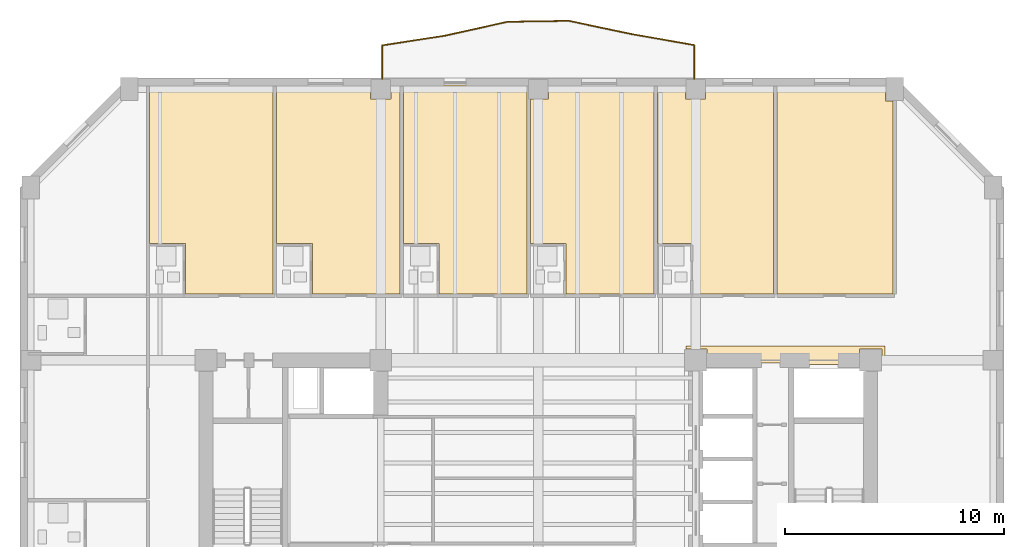
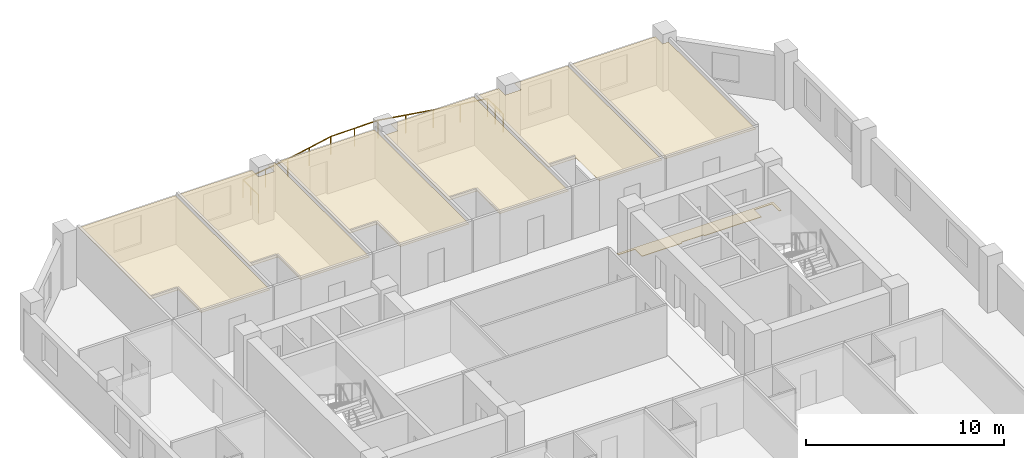
# One storey, part 10 of 11: 7 coverings, 1 railing.
"""IFC4 building model written with IfcOpenShell, lengths in metres."""

from ifc_helpers import new_model, si_unit, direction, frame, origin, origin_2d, place, context, subcontext, project, spatial, polyline, circle, outline, extrude, material, layer, layer_set, type_object, element, save


model = new_model("IFC4")

# Units and contexts
model_context = context("Model", 3, precision=1e-05, world=origin(), true_north=direction((0.0, 1.0)))
body_context = subcontext(model_context, "Body", "Model", "MODEL_VIEW")
ifc_project = project(units=[si_unit("LENGTHUNIT", "METRE"), si_unit("AREAUNIT", "SQUARE_METRE"), si_unit("VOLUMEUNIT", "CUBIC_METRE"), si_unit("PLANEANGLEUNIT", "RADIAN"), si_unit("MASSUNIT", "GRAM", prefix="KILO")], contexts=[model_context])

# Site, building, storey
site_placement = place(None, origin())
site = spatial("IfcSite", under=ifc_project, at=site_placement, CompositionType="ELEMENT")
building_placement = place(site_placement, origin())
building = spatial("IfcBuilding", under=site, at=building_placement, Name="Kranthara Brick Stack", CompositionType="ELEMENT")
storey_placement = place(building_placement, frame((0.0, 0.0, 130.800048828125)))
storey = spatial("IfcBuildingStorey", under=building, at=storey_placement, Name="L32", CompositionType="ELEMENT", Elevation=130.800048828125)

# Coverings
ifc_material_1 = material(Name="Perforated mineral-fibre acoustic ceiling tile", Category="other")
ifc_layer_1 = layer(ifc_material_1, 0.02490234375)
ifc_layer_set_1 = layer_set([ifc_layer_1], Name="Perforated mineral-fibre acoustic ceiling tile")
covering_type_1 = type_object("IfcCoveringType", Name="COV-CEIL-ACOUSTIC", PredefinedType="CEILING", material=ifc_layer_set_1)
covering_1_placement = place(storey_placement, frame((0.0, 0.0, 2.929931640625)))
element("IfcCovering", 1, at=covering_1_placement, inside=storey, type_object=covering_type_1, Name="L32 Room L32-07 Hotel Guest Room Acoustic Ceiling", PredefinedType="CEILING", context=body_context, shape_type="SweptSolid", body=[
    extrude(outline(polyline([(11.860107421875, 36.6298828125), (15.8759765625, 36.6298828125), (15.8759765625, 46.199951171875), (10.22998046875, 46.199951171875), (10.22998046875, 38.93994140625), (11.860107421875, 38.93994140625), (11.860107421875, 36.6298828125)])), origin(), (0.0, 0.0, 1.0), 0.02490234375),
])
covering_2_placement = place(storey_placement, frame((0.0, 0.0, 2.929931640625)))
element("IfcCovering", 2, at=covering_2_placement, inside=storey, type_object=covering_type_1, Name="L32 Room L32-08 Hotel Guest Room Acoustic Ceiling", PredefinedType="CEILING", context=body_context, shape_type="SweptSolid", body=[
    extrude(outline(polyline([(21.680908203125, 46.199951171875), (21.680908203125, 36.6298828125), (17.666015625, 36.6298828125), (17.666015625, 38.93994140625), (16.035888671875, 38.93994140625), (16.035888671875, 46.199951171875), (20.340087890625, 46.199951171875), (20.340087890625, 45.5400390625), (21.260009765625, 45.5400390625), (21.260009765625, 46.199951171875), (21.680908203125, 46.199951171875)])), origin(), (0.0, 0.0, 1.0), 0.02490234375),
])
covering_3_placement = place(storey_placement, frame((0.0, 0.0, 2.929931640625)))
element("IfcCovering", 3, at=covering_3_placement, inside=storey, type_object=covering_type_1, Name="L32 Room L32-09 Hotel Guest Room Acoustic Ceiling", PredefinedType="CEILING", context=body_context, shape_type="SweptSolid", body=[
    extrude(outline(polyline([(23.470947265625, 36.6298828125), (27.486083984375, 36.6298828125), (27.486083984375, 46.199951171875), (21.841064453125, 46.199951171875), (21.841064453125, 38.93994140625), (23.470947265625, 38.93994140625), (23.470947265625, 36.6298828125)])), origin(), (0.0, 0.0, 1.0), 0.02490234375),
])
covering_4_placement = place(storey_placement, frame((0.0, 0.0, 2.929931640625)))
element("IfcCovering", 4, at=covering_4_placement, inside=storey, type_object=covering_type_1, Name="L32 Room L32-10 Hotel Guest Room Acoustic Ceiling", PredefinedType="CEILING", context=body_context, shape_type="SweptSolid", body=[
    extrude(outline(polyline([(33.2919921875, 46.199951171875), (33.2919921875, 36.6298828125), (29.27587890625, 36.6298828125), (29.27587890625, 38.93994140625), (27.64599609375, 38.93994140625), (27.64599609375, 45.5400390625), (28.4599609375, 45.5400390625), (28.4599609375, 46.199951171875), (33.2919921875, 46.199951171875)])), origin(), (0.0, 0.0, 1.0), 0.02490234375),
])
covering_5_placement = place(storey_placement, frame((0.0, 0.0, 2.929931640625)))
element("IfcCovering", 5, at=covering_5_placement, inside=storey, type_object=covering_type_1, Name="L32 Room L32-11 Hotel Guest Room Acoustic Ceiling", PredefinedType="CEILING", context=body_context, shape_type="SweptSolid", body=[
    extrude(outline(polyline([(38.756103515625, 46.199951171875), (38.756103515625, 36.6298828125), (35.08203125, 36.6298828125), (35.08203125, 38.93994140625), (33.451904296875, 38.93994140625), (33.451904296875, 46.199951171875), (34.739990234375, 46.199951171875), (34.739990234375, 45.5400390625), (35.659912109375, 45.5400390625), (35.659912109375, 46.199951171875), (38.756103515625, 46.199951171875)])), origin(), (0.0, 0.0, 1.0), 0.02490234375),
])
covering_6_placement = place(storey_placement, frame((0.0, 0.0, 2.929931640625)))
element("IfcCovering", 6, at=covering_6_placement, inside=storey, type_object=covering_type_1, Name="L32 L32 Guest Sky Lounge 12 Acoustic Ceiling", PredefinedType="CEILING", context=body_context, shape_type="SweptSolid", body=[
    extrude(outline(polyline([(44.219970703125, 36.6298828125), (38.916015625, 36.6298828125), (38.916015625, 46.199951171875), (43.889892578125, 46.199951171875), (43.889892578125, 45.465087890625), (44.219970703125, 45.465087890625), (44.219970703125, 36.6298828125)])), origin(), (0.0, 0.0, 1.0), 0.02490234375),
])
ifc_material_2 = material(Name="Honed terrazzo and porcelain floor finish", Category="stone")
ifc_layer_2 = layer(ifc_material_2, 0.030029296875)
ifc_layer_set_2 = layer_set([ifc_layer_2], Name="Honed terrazzo and porcelain floor finish")
covering_type_2 = type_object("IfcCoveringType", Name="COV-FLOR-STONE", PredefinedType="FLOORING", material=ifc_layer_set_2)
covering_7_placement = place(storey_placement, origin())
element("IfcCovering", 7, at=covering_7_placement, inside=storey, type_object=covering_type_2, Name="L32 Lift Lobby Stone Flooring", PredefinedType="FLOORING", context=body_context, shape_type="SweptSolid", body=[
    extrude(outline(polyline([(43.7099609375, 33.39990234375), (43.7099609375, 34.110107421875), (42.68994140625, 34.110107421875), (42.68994140625, 33.39990234375), (39.35009765625, 33.39990234375), (39.35009765625, 33.47998046875), (38.050048828125, 33.47998046875), (38.050048828125, 33.39990234375), (35.7099609375, 33.39990234375), (35.7099609375, 34.110107421875), (34.75, 34.110107421875), (34.75, 34.25), (43.85009765625, 34.25), (43.85009765625, 33.39990234375), (43.7099609375, 33.39990234375)])), origin(), (0.0, 0.0, 1.0), 0.030029296875),
])

# Railing
ifc_material_3 = material(Name="Bronze anodised aluminium and laminated glass balustrade", Category="aluminium")
railing_type = type_object("IfcRailingType", Name="RL-BALC-1120", PredefinedType="BALUSTRADE", material=ifc_material_3)
railing_placement = place(storey_placement, frame((20.860107421875, 46.43994140625, 0.0)))
element("IfcRailing", 8, at=railing_placement, inside=storey, type_object=railing_type, Name="L32 North Rippling Balcony Balustrade", PredefinedType="BALUSTRADE", context=body_context, shape_type="SweptSolid", body=[
    extrude(circle(Radius=0.02392578125, at=origin_2d()), frame((0.0, 0.0, 1.09619140625), z_axis=(0.0, 1.0, 0.0), x_axis=(-1.0, 0.0, 0.0)), (0.0, 0.0, 1.0), 1.563720703125),
    extrude(circle(Radius=0.02392578125, at=origin_2d()), frame((0.0, 1.563720703125, 1.09619140625), z_axis=(0.988240569936, 0.152907082674, 0.0), x_axis=(-0.152907082674, 0.988240569936, 0.0)), (0.0, 0.0, 1.0), 2.913818359375),
    extrude(circle(Radius=0.02392578125, at=origin_2d()), frame((2.879638671875, 2.00927734375, 1.09619140625), z_axis=(0.976356887663, 0.216164816548, 0.0), x_axis=(-0.216164816548, 0.976356887663, 0.0)), (0.0, 0.0, 1.0), 2.9375),
    extrude(circle(Radius=0.02392578125, at=origin_2d()), frame((5.747802734375, 2.644287109375, 1.09619140625), z_axis=(0.999888966858, 0.014901474916, 0.0), x_axis=(-0.014901474916, 0.999888966858, 0.0)), (0.0, 0.0, 1.0), 2.78515625),
    extrude(circle(Radius=0.02392578125, at=origin_2d()), frame((8.53271484375, 2.685791015625, 1.09619140625), z_axis=(0.97856392556, -0.205943301889, 0.0), x_axis=(0.205943301889, 0.97856392556, 0.0)), (0.0, 0.0, 1.0), 2.930419921875),
    extrude(circle(Radius=0.02392578125, at=origin_2d()), frame((11.400390625, 2.082275390625, 1.09619140625), z_axis=(0.984901867281, -0.173113580708, 0.0), x_axis=(0.173113580708, 0.984901867281, 0.0)), (0.0, 0.0, 1.0), 2.923583984375),
    extrude(circle(Radius=0.02392578125, at=origin_2d()), frame((14.27978515625, 1.576171875, 1.09619140625), z_axis=(0.0, -1.0, 0.0), x_axis=(1.0, 0.0, 0.0)), (0.0, 0.0, 1.0), 1.576171875),
    extrude(circle(Radius=0.02099609375, at=origin_2d()), origin(), (0.0, 0.0, 1.0), 1.072021484375),
    extrude(circle(Radius=0.02099609375, at=origin_2d()), frame((0.0, 0.78173828125, 0.0)), (0.0, 0.0, 1.0), 1.072021484375),
    extrude(circle(Radius=0.02099609375, at=origin_2d()), frame((0.0, 1.563720703125, 0.0)), (0.0, 0.0, 1.0), 1.072021484375),
    extrude(circle(Radius=0.02099609375, at=origin_2d()), frame((1.43994140625, 1.78662109375, 0.0)), (0.0, 0.0, 1.0), 1.072021484375),
    extrude(circle(Radius=0.02099609375, at=origin_2d()), frame((2.879638671875, 2.00927734375, 0.0)), (0.0, 0.0, 1.0), 1.072021484375),
    extrude(circle(Radius=0.02099609375, at=origin_2d()), frame((4.313720703125, 2.32666015625, 0.0)), (0.0, 0.0, 1.0), 1.072021484375),
    extrude(circle(Radius=0.02099609375, at=origin_2d()), frame((5.747802734375, 2.644287109375, 0.0)), (0.0, 0.0, 1.0), 1.072021484375),
    extrude(circle(Radius=0.02099609375, at=origin_2d()), frame((7.14013671875, 2.6650390625, 0.0)), (0.0, 0.0, 1.0), 1.072021484375),
    extrude(circle(Radius=0.02099609375, at=origin_2d()), frame((8.53271484375, 2.685791015625, 0.0)), (0.0, 0.0, 1.0), 1.072021484375),
    extrude(circle(Radius=0.02099609375, at=origin_2d()), frame((9.966552734375, 2.384033203125, 0.0)), (0.0, 0.0, 1.0), 1.072021484375),
    extrude(circle(Radius=0.02099609375, at=origin_2d()), frame((11.400390625, 2.082275390625, 0.0)), (0.0, 0.0, 1.0), 1.072021484375),
    extrude(circle(Radius=0.02099609375, at=origin_2d()), frame((12.840087890625, 1.8291015625, 0.0)), (0.0, 0.0, 1.0), 1.072021484375),
    extrude(circle(Radius=0.02099609375, at=origin_2d()), frame((14.27978515625, 1.576171875, 0.0)), (0.0, 0.0, 1.0), 1.072021484375),
    extrude(circle(Radius=0.02099609375, at=origin_2d()), frame((14.27978515625, 0.7880859375, 0.0)), (0.0, 0.0, 1.0), 1.072021484375),
    extrude(circle(Radius=0.02099609375, at=origin_2d()), frame((14.27978515625, 0.0, 0.0)), (0.0, 0.0, 1.0), 1.072021484375),
])

save(model, "model.ifc")
